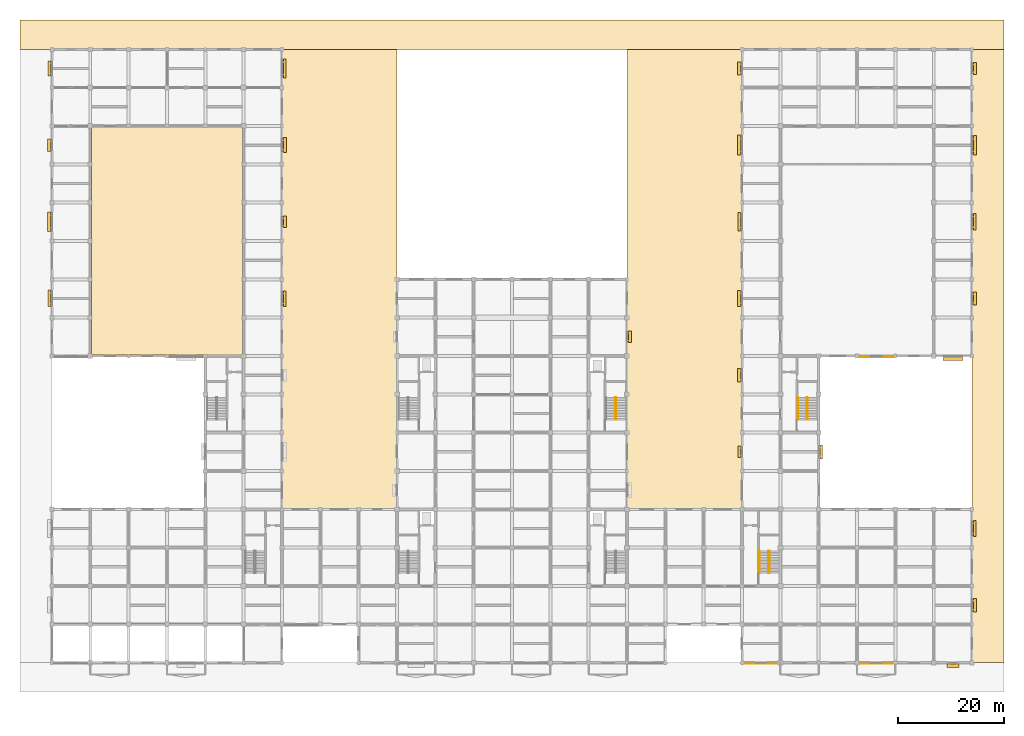
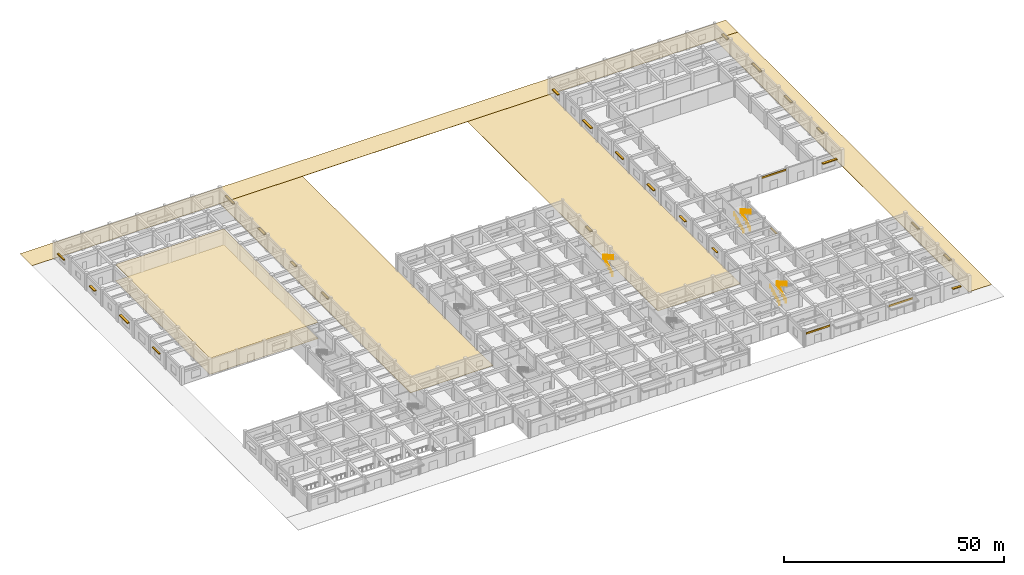
# One storey, part 36 of 37: 24 shading devices, 9 coverings, 5 railings.
"""IFC4 building model written with IfcOpenShell, lengths in metres."""

from ifc_helpers import new_model, si_unit, direction, frame, origin, origin_2d, place, context, subcontext, project, spatial, polyline, rectangle, circle, outline, extrude, material, layer, layer_set, type_object, element, save


model = new_model("IFC4")

# Units and contexts
model_context = context("Model", 3, precision=1e-05, world=origin(), true_north=direction((0.0, 1.0)))
body_context = subcontext(model_context, "Body", "Model", "MODEL_VIEW")
ifc_project = project(units=[si_unit("LENGTHUNIT", "METRE"), si_unit("AREAUNIT", "SQUARE_METRE"), si_unit("VOLUMEUNIT", "CUBIC_METRE"), si_unit("PLANEANGLEUNIT", "RADIAN"), si_unit("MASSUNIT", "GRAM", prefix="KILO")], contexts=[model_context])

# Site, building, storey
site_placement = place(None, origin())
site = spatial("IfcSite", under=ifc_project, at=site_placement, CompositionType="ELEMENT")
building_placement = place(site_placement, origin())
building = spatial("IfcBuilding", under=site, at=building_placement, Name="Cendaluz Park School", CompositionType="ELEMENT")
storey_placement = place(building_placement, origin())
storey = spatial("IfcBuildingStorey", under=building, at=storey_placement, Name="L00", CompositionType="ELEMENT", Elevation=0.0)

# Coverings
ifc_material_1 = material(Name="Polychrome Majolica Tile")
ifc_layer_1 = layer(ifc_material_1, 0.0400390625)
ifc_layer_set_1 = layer_set([ifc_layer_1], Name="Polychrome Majolica Tile")
covering_type_1 = type_object("IfcCoveringType", Name="CV-CL01", PredefinedType="CLADDING", material=ifc_layer_set_1)
covering_1_placement = place(storey_placement, frame((0.0, 0.0, 3.340087890625)))
element("IfcCovering", 1, at=covering_1_placement, inside=storey, type_object=covering_type_1, Name="CV-CL-L00-18-00", PredefinedType="CLADDING", context=body_context, shape_type="SweptSolid", body=[
    extrude(outline(polyline([(130.074951171875, -0.219970703125), (136.25, -0.219970703125), (136.25, -0.177978515625), (130.074951171875, -0.177978515625), (130.074951171875, -0.219970703125)])), origin(), (0.0, 0.0, 1.0), 0.5),
])
covering_2_placement = place(storey_placement, frame((0.0, 0.0, 3.340087890625)))
element("IfcCovering", 2, at=covering_2_placement, inside=storey, type_object=covering_type_1, Name="CV-CL-L00-21-00", PredefinedType="CLADDING", context=body_context, shape_type="SweptSolid", body=[
    extrude(outline(polyline([(151.699951171875, -0.219970703125), (157.925048828125, -0.219970703125), (157.925048828125, -0.177978515625), (151.699951171875, -0.177978515625), (151.699951171875, -0.219970703125)])), origin(), (0.0, 0.0, 1.0), 0.5),
])
covering_3_placement = place(storey_placement, frame((0.0, 0.0, 3.919921875)))
element("IfcCovering", 3, at=covering_3_placement, inside=storey, type_object=covering_type_1, Name="CV-CL-L00-21-08", PredefinedType="CLADDING", context=body_context, shape_type="SweptSolid", body=[
    extrude(outline(polyline([(151.699951171875, 57.3798828125), (158.050048828125, 57.3798828125), (158.050048828125, 57.422119140625), (151.699951171875, 57.422119140625), (151.699951171875, 57.3798828125)])), origin(), (0.0, 0.0, 1.0), 0.5),
])
ifc_material_2 = material(Name="Mineral Fibre Acoustic Tile")
ifc_layer_2 = layer(ifc_material_2, 0.030029296875)
ifc_layer_set_2 = layer_set([ifc_layer_2], Name="Mineral Fibre Acoustic Tile")
covering_type_2 = type_object("IfcCoveringType", Name="CV-CLG01", PredefinedType="CEILING", material=ifc_layer_set_2)
covering_4_placement = place(storey_placement, frame((0.0, 0.0, 4.489990234375)))
element("IfcCovering", 4, at=covering_4_placement, inside=storey, type_object=covering_type_2, Name="CV-CLG-L00-01", PredefinedType="CEILING", context=body_context, shape_type="SweptSolid", body=[
    extrude(outline(polyline([(7.39990234375, 57.800048828125), (35.800048828125, 57.800048828125), (35.800048828125, 100.60009765625), (7.39990234375, 100.60009765625), (7.39990234375, 57.800048828125)])), origin(), (0.0, 0.0, 1.0), 0.030029296875),
])
ifc_material_3 = material(Name="Polished Terrazzo Tile")
ifc_layer_3 = layer(ifc_material_3, 0.02001953125)
ifc_layer_set_3 = layer_set([ifc_layer_3], Name="Polished Terrazzo Tile")
covering_type_3 = type_object("IfcCoveringType", Name="CV-FLR01", PredefinedType="FLOORING", material=ifc_layer_set_3)
covering_5_placement = place(storey_placement, origin())
element("IfcCovering", 5, at=covering_5_placement, inside=storey, type_object=covering_type_3, Name="CV-FLR-L00-01", PredefinedType="FLOORING", context=body_context, shape_type="SweptSolid", body=[
    extrude(outline(polyline([(7.39990234375, 57.800048828125), (35.800048828125, 57.800048828125), (35.800048828125, 100.60009765625), (7.39990234375, 100.60009765625), (7.39990234375, 57.800048828125)])), origin(), (0.0, 0.0, 1.0), 0.02001953125),
])
ifc_material_4 = material(Name="Granite Ashlar Stone", Category="masonry")
ifc_layer_4 = layer(ifc_material_4, 0.080078125)
ifc_layer_set_4 = layer_set([ifc_layer_4], Name="Granite Ashlar Stone")
covering_type_4 = type_object("IfcCoveringType", Name="CV-PV01", PredefinedType="FLOORING", material=ifc_layer_set_4)
covering_6_placement = place(storey_placement, frame((0.0, 0.0, -0.080078125)))
element("IfcCovering", 6, at=covering_6_placement, inside=storey, type_object=covering_type_4, Name="CV-APRON-E", PredefinedType="FLOORING", context=body_context, shape_type="SweptSolid", body=[
    extrude(outline(polyline([(172.800048828125, 0.0), (178.800048828125, 0.0), (178.800048828125, 115.199951171875), (172.800048828125, 115.199951171875), (172.800048828125, 0.0)])), origin(), (0.0, 0.0, 1.0), 0.080078125),
])
covering_7_placement = place(storey_placement, frame((0.0, 0.0, -0.080078125)))
element("IfcCovering", 7, at=covering_7_placement, inside=storey, type_object=covering_type_4, Name="CV-APRON-N", PredefinedType="FLOORING", context=body_context, shape_type="SweptSolid", body=[
    extrude(outline(polyline([(-6.0, 115.199951171875), (178.800048828125, 115.199951171875), (178.800048828125, 120.699951171875), (-6.0, 120.699951171875), (-6.0, 115.199951171875)])), origin(), (0.0, 0.0, 1.0), 0.080078125),
])
covering_8_placement = place(storey_placement, frame((0.0, 0.0, -0.080078125)))
element("IfcCovering", 8, at=covering_8_placement, inside=storey, type_object=covering_type_4, Name="CV-COURT-W", PredefinedType="FLOORING", context=body_context, shape_type="SweptSolid", body=[
    extrude(outline(polyline([(43.199951171875, 28.800048828125), (64.800048828125, 28.800048828125), (64.800048828125, 115.199951171875), (43.199951171875, 115.199951171875), (43.199951171875, 28.800048828125)])), origin(), (0.0, 0.0, 1.0), 0.080078125),
])
covering_9_placement = place(storey_placement, frame((0.0, 0.0, -0.080078125)))
element("IfcCovering", 9, at=covering_9_placement, inside=storey, type_object=covering_type_4, Name="CV-COURT-E", PredefinedType="FLOORING", context=body_context, shape_type="SweptSolid", body=[
    extrude(outline(polyline([(108.0, 28.800048828125), (129.60009765625, 28.800048828125), (129.60009765625, 115.199951171875), (108.0, 115.199951171875), (108.0, 28.800048828125)])), origin(), (0.0, 0.0, 1.0), 0.080078125),
])

# Railings
ifc_material_5 = material(Name="Wrought Iron")
railing_type_1 = type_object("IfcRailingType", Name="GR-ST01", PredefinedType="BALUSTRADE", material=ifc_material_5)
railing_1_placement = place(storey_placement, frame((105.7900390625, 45.60009765625, 0.159912109375)))
element("IfcRailing", 10, at=railing_1_placement, inside=storey, type_object=railing_type_1, Name="GR-ST-108", PredefinedType="BALUSTRADE", context=body_context, shape_type="SweptSolid", body=[
    extrude(circle(Radius=0.02392578125, at=origin_2d()), frame((0.0, 0.0, 1.076171875), z_axis=(0.0, 0.882351521365, 0.470590897432), x_axis=(-1.0, 0.0, 0.0)), (0.0, 0.0, 1.0), 4.760009765625),
    extrude(circle(Radius=0.02392578125, at=origin_2d()), frame((0.0, 4.199951171875, 3.31591796875), z_axis=(1.0, 0.0, 0.0), x_axis=(0.0, 1.0, 0.0)), (0.0, 0.0, 1.0), 0.169921875),
    extrude(circle(Radius=0.02392578125, at=origin_2d()), frame((0.169921875, 4.199951171875, 3.31591796875), z_axis=(0.0, -0.868227612608, 0.496166114024), x_axis=(1.0, 0.0, 0.0)), (0.0, 0.0, 1.0), 4.83740234375),
    extrude(circle(Radius=0.02099609375, at=origin_2d()), origin(), (0.0, 0.0, 1.0), 1.052001953125),
    extrude(circle(Radius=0.02099609375, at=origin_2d()), frame((0.0, 0.840087890625, 0.447998046875)), (0.0, 0.0, 1.0), 1.052001953125),
    extrude(circle(Radius=0.02099609375, at=origin_2d()), frame((0.0, 1.679931640625, 0.89599609375)), (0.0, 0.0, 1.0), 1.052001953125),
    extrude(circle(Radius=0.02099609375, at=origin_2d()), frame((0.0, 2.52001953125, 1.343994140625)), (0.0, 0.0, 1.0), 1.052001953125),
    extrude(circle(Radius=0.02099609375, at=origin_2d()), frame((0.0, 3.35986328125, 1.7919921875)), (0.0, 0.0, 1.0), 1.052001953125),
    extrude(circle(Radius=0.02099609375, at=origin_2d()), frame((0.0, 4.199951171875, 2.239990234375)), (0.0, 0.0, 1.0), 1.052001953125),
    extrude(circle(Radius=0.02099609375, at=origin_2d()), frame((0.169921875, 4.199951171875, 2.239990234375)), (0.0, 0.0, 1.0), 1.052001953125),
    extrude(circle(Radius=0.02099609375, at=origin_2d()), frame((0.169921875, 3.35986328125, 2.719970703125)), (0.0, 0.0, 1.0), 1.052001953125),
    extrude(circle(Radius=0.02099609375, at=origin_2d()), frame((0.169921875, 2.52001953125, 3.199951171875)), (0.0, 0.0, 1.0), 1.052001953125),
    extrude(circle(Radius=0.02099609375, at=origin_2d()), frame((0.169921875, 1.679931640625, 3.68017578125)), (0.0, 0.0, 1.0), 1.052001953125),
    extrude(circle(Radius=0.02099609375, at=origin_2d()), frame((0.169921875, 0.840087890625, 4.16015625)), (0.0, 0.0, 1.0), 1.052001953125),
    extrude(circle(Radius=0.02099609375, at=origin_2d()), frame((0.169921875, 0.0, 4.64013671875)), (0.0, 0.0, 1.0), 1.052001953125),
])
railing_2_placement = place(storey_placement, frame((134.590087890625, 16.800048828125, 0.159912109375)))
element("IfcRailing", 11, at=railing_2_placement, inside=storey, type_object=railing_type_1, Name="GR-ST-160", PredefinedType="BALUSTRADE", context=body_context, shape_type="SweptSolid", body=[
    extrude(circle(Radius=0.02392578125, at=origin_2d()), frame((0.0, 0.0, 1.076171875), z_axis=(0.0, 0.882351521365, 0.470590897432), x_axis=(-1.0, 0.0, 0.0)), (0.0, 0.0, 1.0), 4.760009765625),
    extrude(circle(Radius=0.02392578125, at=origin_2d()), frame((0.0, 4.199951171875, 3.31591796875), z_axis=(1.0, 0.0, 0.0), x_axis=(0.0, 1.0, 0.0)), (0.0, 0.0, 1.0), 0.169921875),
    extrude(circle(Radius=0.02392578125, at=origin_2d()), frame((0.169921875, 4.199951171875, 3.31591796875), z_axis=(0.0, -0.868227612608, 0.496166114024), x_axis=(1.0, 0.0, 0.0)), (0.0, 0.0, 1.0), 4.83740234375),
    extrude(circle(Radius=0.02099609375, at=origin_2d()), origin(), (0.0, 0.0, 1.0), 1.052001953125),
    extrude(circle(Radius=0.02099609375, at=origin_2d()), frame((0.0, 0.840087890625, 0.447998046875)), (0.0, 0.0, 1.0), 1.052001953125),
    extrude(circle(Radius=0.02099609375, at=origin_2d()), frame((0.0, 1.679931640625, 0.89599609375)), (0.0, 0.0, 1.0), 1.052001953125),
    extrude(circle(Radius=0.02099609375, at=origin_2d()), frame((0.0, 2.52001953125, 1.343994140625)), (0.0, 0.0, 1.0), 1.052001953125),
    extrude(circle(Radius=0.02099609375, at=origin_2d()), frame((0.0, 3.35986328125, 1.7919921875)), (0.0, 0.0, 1.0), 1.052001953125),
    extrude(circle(Radius=0.02099609375, at=origin_2d()), frame((0.0, 4.199951171875, 2.239990234375)), (0.0, 0.0, 1.0), 1.052001953125),
    extrude(circle(Radius=0.02099609375, at=origin_2d()), frame((0.169921875, 4.199951171875, 2.239990234375)), (0.0, 0.0, 1.0), 1.052001953125),
    extrude(circle(Radius=0.02099609375, at=origin_2d()), frame((0.169921875, 3.35986328125, 2.719970703125)), (0.0, 0.0, 1.0), 1.052001953125),
    extrude(circle(Radius=0.02099609375, at=origin_2d()), frame((0.169921875, 2.52001953125, 3.199951171875)), (0.0, 0.0, 1.0), 1.052001953125),
    extrude(circle(Radius=0.02099609375, at=origin_2d()), frame((0.169921875, 1.679931640625, 3.68017578125)), (0.0, 0.0, 1.0), 1.052001953125),
    extrude(circle(Radius=0.02099609375, at=origin_2d()), frame((0.169921875, 0.840087890625, 4.16015625)), (0.0, 0.0, 1.0), 1.052001953125),
    extrude(circle(Radius=0.02099609375, at=origin_2d()), frame((0.169921875, 0.0, 4.64013671875)), (0.0, 0.0, 1.0), 1.052001953125),
])
railing_3_placement = place(storey_placement, frame((141.7900390625, 45.60009765625, 0.159912109375)))
element("IfcRailing", 12, at=railing_3_placement, inside=storey, type_object=railing_type_1, Name="GR-ST-182", PredefinedType="BALUSTRADE", context=body_context, shape_type="SweptSolid", body=[
    extrude(circle(Radius=0.02392578125, at=origin_2d()), frame((0.0, 0.0, 1.076171875), z_axis=(0.0, 0.882351521365, 0.470590897432), x_axis=(-1.0, 0.0, 0.0)), (0.0, 0.0, 1.0), 4.760009765625),
    extrude(circle(Radius=0.02392578125, at=origin_2d()), frame((0.0, 4.199951171875, 3.31591796875), z_axis=(1.0, 0.0, 0.0), x_axis=(0.0, 1.0, 0.0)), (0.0, 0.0, 1.0), 0.169921875),
    extrude(circle(Radius=0.02392578125, at=origin_2d()), frame((0.169921875, 4.199951171875, 3.31591796875), z_axis=(0.0, -0.868227612608, 0.496166114024), x_axis=(1.0, 0.0, 0.0)), (0.0, 0.0, 1.0), 4.83740234375),
    extrude(circle(Radius=0.02099609375, at=origin_2d()), origin(), (0.0, 0.0, 1.0), 1.052001953125),
    extrude(circle(Radius=0.02099609375, at=origin_2d()), frame((0.0, 0.840087890625, 0.447998046875)), (0.0, 0.0, 1.0), 1.052001953125),
    extrude(circle(Radius=0.02099609375, at=origin_2d()), frame((0.0, 1.679931640625, 0.89599609375)), (0.0, 0.0, 1.0), 1.052001953125),
    extrude(circle(Radius=0.02099609375, at=origin_2d()), frame((0.0, 2.52001953125, 1.343994140625)), (0.0, 0.0, 1.0), 1.052001953125),
    extrude(circle(Radius=0.02099609375, at=origin_2d()), frame((0.0, 3.35986328125, 1.7919921875)), (0.0, 0.0, 1.0), 1.052001953125),
    extrude(circle(Radius=0.02099609375, at=origin_2d()), frame((0.0, 4.199951171875, 2.239990234375)), (0.0, 0.0, 1.0), 1.052001953125),
    extrude(circle(Radius=0.02099609375, at=origin_2d()), frame((0.169921875, 4.199951171875, 2.239990234375)), (0.0, 0.0, 1.0), 1.052001953125),
    extrude(circle(Radius=0.02099609375, at=origin_2d()), frame((0.169921875, 3.35986328125, 2.719970703125)), (0.0, 0.0, 1.0), 1.052001953125),
    extrude(circle(Radius=0.02099609375, at=origin_2d()), frame((0.169921875, 2.52001953125, 3.199951171875)), (0.0, 0.0, 1.0), 1.052001953125),
    extrude(circle(Radius=0.02099609375, at=origin_2d()), frame((0.169921875, 1.679931640625, 3.68017578125)), (0.0, 0.0, 1.0), 1.052001953125),
    extrude(circle(Radius=0.02099609375, at=origin_2d()), frame((0.169921875, 0.840087890625, 4.16015625)), (0.0, 0.0, 1.0), 1.052001953125),
    extrude(circle(Radius=0.02099609375, at=origin_2d()), frame((0.169921875, 0.0, 4.64013671875)), (0.0, 0.0, 1.0), 1.052001953125),
])
ifc_material_6 = material(Name="Architectural Bronze")
railing_type_2 = type_object("IfcRailingType", Name="HR-ST01", PredefinedType="HANDRAIL", material=ifc_material_6)
for number, where, name in (
    (13, (132.89990234375, 16.800048828125, 0.159912109375), "HR-ST-161"),
    (14, (140.10009765625, 45.60009765625, 0.159912109375), "HR-ST-183"),
):
    element("IfcRailing", number, at=place(storey_placement, frame(where)), inside=storey, type_object=railing_type_2, Name=name, PredefinedType="HANDRAIL", context=body_context, shape_type="SweptSolid", body=[
        extrude(circle(Radius=0.02392578125, at=origin_2d()), frame((0.0, 0.0, 0.8759765625), z_axis=(0.0, 0.882351521365, 0.470590897432), x_axis=(-1.0, 0.0, 0.0)), (0.0, 0.0, 1.0), 4.760009765625),
        extrude(circle(Radius=0.02099609375, at=origin_2d()), origin(), (0.0, 0.0, 1.0), 0.851806640625),
        extrude(circle(Radius=0.02099609375, at=origin_2d()), frame((0.0, 0.840087890625, 0.447998046875)), (0.0, 0.0, 1.0), 0.851806640625),
        extrude(circle(Radius=0.02099609375, at=origin_2d()), frame((0.0, 1.679931640625, 0.89599609375)), (0.0, 0.0, 1.0), 0.851806640625),
        extrude(circle(Radius=0.02099609375, at=origin_2d()), frame((0.0, 2.52001953125, 1.343994140625)), (0.0, 0.0, 1.0), 0.851806640625),
        extrude(circle(Radius=0.02099609375, at=origin_2d()), frame((0.0, 3.35986328125, 1.7919921875)), (0.0, 0.0, 1.0), 0.851806640625),
        extrude(circle(Radius=0.02099609375, at=origin_2d()), frame((0.0, 4.199951171875, 2.239990234375)), (0.0, 0.0, 1.0), 0.851806640625),
    ])

# Shading devices
ifc_material_7 = material(Name="Anodised Aluminium 6063-T6", Category="aluminium")
shading_device_type_1 = type_object("IfcShadingDeviceType", Name="SD-01", PredefinedType="JALOUSIE", material=ifc_material_7)
shading_device_1_placement = place(storey_placement, frame((-0.56005859375, 82.800048828125, 2.8701171875), z_axis=(0.0, 0.0, 1.0), x_axis=(0.0, 1.0, 0.0)))
element("IfcShadingDevice", 15, at=shading_device_1_placement, inside=storey, type_object=shading_device_type_1, Name="SD-L00-004", PredefinedType="JALOUSIE", context=body_context, shape_type="SweptSolid", body=[
    extrude(rectangle(XDim=3.699951171875, YDim=0.60009765625, at=origin_2d()), origin(), (0.0, 0.0, 1.0), 0.239990234375),
])
shading_device_2_placement = place(storey_placement, frame((-0.56005859375, 97.199951171875, 2.6201171875), z_axis=(0.0, 0.0, 1.0), x_axis=(0.0, 1.0, 0.0)))
element("IfcShadingDevice", 16, at=shading_device_2_placement, inside=storey, type_object=shading_device_type_1, Name="SD-L00-005", PredefinedType="JALOUSIE", context=body_context, shape_type="SweptSolid", body=[
    extrude(rectangle(XDim=2.300048828125, YDim=0.60009765625, at=origin_2d()), origin(), (0.0, 0.0, 1.0), 0.239990234375),
])
shading_device_3_placement = place(storey_placement, frame((43.760009765625, 82.800048828125, 2.56982421875), z_axis=(0.0, 0.0, 1.0), x_axis=(0.0, 1.0, 0.0)))
element("IfcShadingDevice", 17, at=shading_device_3_placement, inside=storey, type_object=shading_device_type_1, Name="SD-L00-013", PredefinedType="JALOUSIE", context=body_context, shape_type="SweptSolid", body=[
    extrude(rectangle(XDim=2.14990234375, YDim=0.60009765625, at=origin_2d()), origin(), (0.0, 0.0, 1.0), 0.239990234375),
])
shading_device_4_placement = place(storey_placement, frame((43.760009765625, 97.21240234375, 2.919921875), z_axis=(0.0, 0.0, 1.0), x_axis=(0.0, 1.0, 0.0)))
element("IfcShadingDevice", 18, at=shading_device_4_placement, inside=storey, type_object=shading_device_type_1, Name="SD-L00-014", PredefinedType="JALOUSIE", context=body_context, shape_type="SweptSolid", body=[
    extrude(rectangle(XDim=2.800048828125, YDim=0.60009765625, at=origin_2d()), origin(), (0.0, 0.0, 1.0), 0.239990234375),
])
shading_device_5_placement = place(storey_placement, frame((108.56005859375, 61.199951171875, 2.72021484375), z_axis=(0.0, 0.0, 1.0), x_axis=(0.0, 1.0, 0.0)))
element("IfcShadingDevice", 19, at=shading_device_5_placement, inside=storey, type_object=shading_device_type_1, Name="SD-L00-020", PredefinedType="JALOUSIE", context=body_context, shape_type="SweptSolid", body=[
    extrude(rectangle(XDim=2.199951171875, YDim=0.60009765625, at=origin_2d()), origin(), (0.0, 0.0, 1.0), 0.239990234375),
])
shading_device_6_placement = place(storey_placement, frame((129.0400390625, 53.987548828125, 2.72021484375), z_axis=(0.0, 0.0, 1.0), x_axis=(0.0, 1.0, 0.0)))
element("IfcShadingDevice", 20, at=shading_device_6_placement, inside=storey, type_object=shading_device_type_1, Name="SD-L00-022", PredefinedType="JALOUSIE", context=body_context, shape_type="SweptSolid", body=[
    extrude(rectangle(XDim=2.60009765625, YDim=0.60009765625, at=origin_2d()), origin(), (0.0, 0.0, 1.0), 0.239990234375),
])
shading_device_7_placement = place(storey_placement, frame((129.0400390625, 68.39990234375, 2.72021484375), z_axis=(0.0, 0.0, 1.0), x_axis=(0.0, 1.0, 0.0)))
element("IfcShadingDevice", 21, at=shading_device_7_placement, inside=storey, type_object=shading_device_type_1, Name="SD-L00-023", PredefinedType="JALOUSIE", context=body_context, shape_type="SweptSolid", body=[
    extrude(rectangle(XDim=3.0, YDim=0.60009765625, at=origin_2d()), origin(), (0.0, 0.0, 1.0), 0.239990234375),
])
shading_device_8_placement = place(storey_placement, frame((129.0400390625, 97.199951171875, 2.72021484375), z_axis=(0.0, 0.0, 1.0), x_axis=(0.0, 1.0, 0.0)))
element("IfcShadingDevice", 22, at=shading_device_8_placement, inside=storey, type_object=shading_device_type_1, Name="SD-L00-025", PredefinedType="JALOUSIE", context=body_context, shape_type="SweptSolid", body=[
    extrude(rectangle(XDim=3.800048828125, YDim=0.60009765625, at=origin_2d()), origin(), (0.0, 0.0, 1.0), 0.239990234375),
])
shading_device_9_placement = place(storey_placement, frame((129.0400390625, 111.60009765625, 2.8701171875), z_axis=(0.0, 0.0, 1.0), x_axis=(0.0, 1.0, 0.0)))
element("IfcShadingDevice", 23, at=shading_device_9_placement, inside=storey, type_object=shading_device_type_1, Name="SD-L00-026", PredefinedType="JALOUSIE", context=body_context, shape_type="SweptSolid", body=[
    extrude(rectangle(XDim=2.5, YDim=0.60009765625, at=origin_2d()), origin(), (0.0, 0.0, 1.0), 0.239990234375),
])
shading_device_10_placement = place(storey_placement, frame((169.22509765625, -0.56005859375, 2.72021484375), z_axis=(0.0, 0.0, 1.0), x_axis=(1.0, 0.0, 0.0)))
element("IfcShadingDevice", 24, at=shading_device_10_placement, inside=storey, type_object=shading_device_type_1, Name="SD-L00-028", PredefinedType="JALOUSIE", context=body_context, shape_type="SweptSolid", body=[
    extrude(rectangle(XDim=2.199951171875, YDim=0.60009765625, at=origin_2d()), origin(), (0.0, 0.0, 1.0), 0.239990234375),
])
shading_device_11_placement = place(storey_placement, frame((173.360107421875, 10.78759765625, 2.72021484375), z_axis=(0.0, 0.0, 1.0), x_axis=(0.0, 1.0, 0.0)))
element("IfcShadingDevice", 25, at=shading_device_11_placement, inside=storey, type_object=shading_device_type_1, Name="SD-L00-029", PredefinedType="JALOUSIE", context=body_context, shape_type="SweptSolid", body=[
    extrude(rectangle(XDim=2.60009765625, YDim=0.60009765625, at=origin_2d()), origin(), (0.0, 0.0, 1.0), 0.239990234375),
])
shading_device_12_placement = place(storey_placement, frame((169.22509765625, 57.0400390625, 2.72021484375), z_axis=(0.0, 0.0, 1.0), x_axis=(1.0, 0.0, 0.0)))
element("IfcShadingDevice", 26, at=shading_device_12_placement, inside=storey, type_object=shading_device_type_1, Name="SD-L00-031", PredefinedType="JALOUSIE", context=body_context, shape_type="SweptSolid", body=[
    extrude(rectangle(XDim=3.800048828125, YDim=0.60009765625, at=origin_2d()), origin(), (0.0, 0.0, 1.0), 0.239990234375),
])
shading_device_13_placement = place(storey_placement, frame((173.360107421875, 68.39990234375, 2.8701171875), z_axis=(0.0, 0.0, 1.0), x_axis=(0.0, 1.0, 0.0)))
element("IfcShadingDevice", 27, at=shading_device_13_placement, inside=storey, type_object=shading_device_type_1, Name="SD-L00-032", PredefinedType="JALOUSIE", context=body_context, shape_type="SweptSolid", body=[
    extrude(rectangle(XDim=2.5, YDim=0.60009765625, at=origin_2d()), origin(), (0.0, 0.0, 1.0), 0.239990234375),
])
shading_device_14_placement = place(storey_placement, frame((173.360107421875, 97.199951171875, 2.8701171875), z_axis=(0.0, 0.0, 1.0), x_axis=(0.0, 1.0, 0.0)))
element("IfcShadingDevice", 28, at=shading_device_14_placement, inside=storey, type_object=shading_device_type_1, Name="SD-L00-034", PredefinedType="JALOUSIE", context=body_context, shape_type="SweptSolid", body=[
    extrude(rectangle(XDim=3.699951171875, YDim=0.60009765625, at=origin_2d()), origin(), (0.0, 0.0, 1.0), 0.239990234375),
])
shading_device_15_placement = place(storey_placement, frame((173.360107421875, 111.612548828125, 2.6201171875), z_axis=(0.0, 0.0, 1.0), x_axis=(0.0, 1.0, 0.0)))
element("IfcShadingDevice", 29, at=shading_device_15_placement, inside=storey, type_object=shading_device_type_1, Name="SD-L00-035", PredefinedType="JALOUSIE", context=body_context, shape_type="SweptSolid", body=[
    extrude(rectangle(XDim=2.300048828125, YDim=0.60009765625, at=origin_2d()), origin(), (0.0, 0.0, 1.0), 0.239990234375),
])
shading_device_type_2 = type_object("IfcShadingDeviceType", Name="SD-02", PredefinedType="SHUTTER", material=ifc_material_6)
shading_device_16_placement = place(storey_placement, frame((-0.485107421875, 68.41259765625, 2.8701171875), z_axis=(0.0, 0.0, 1.0), x_axis=(0.0, 1.0, 0.0)))
element("IfcShadingDevice", 30, at=shading_device_16_placement, inside=storey, type_object=shading_device_type_2, Name="SD-L00-003", PredefinedType="SHUTTER", context=body_context, shape_type="SweptSolid", body=[
    extrude(rectangle(XDim=3.10009765625, YDim=0.449951171875, at=origin_2d()), origin(), (0.0, 0.0, 1.0), 0.239990234375),
])
for number, where, z_axis, x_axis, name in (
    (31, (-0.485107421875, 111.58740234375, 2.6201171875), (0.0, 0.0, 1.0), (0.0, 1.0, 0.0), "SD-L00-006"),
    (32, (43.68505859375, 68.387451171875, 2.6201171875), (0.0, 0.0, 1.0), (0.0, 1.0, 0.0), "SD-L00-012"),
):
    element("IfcShadingDevice", number, at=place(storey_placement, frame(where, z_axis=z_axis, x_axis=x_axis)), inside=storey, type_object=shading_device_type_2, Name=name, PredefinedType="SHUTTER", context=body_context, shape_type="SweptSolid", body=[
        extrude(rectangle(XDim=2.89990234375, YDim=0.449951171875, at=origin_2d()), origin(), (0.0, 0.0, 1.0), 0.239990234375),
    ])
shading_device_17_placement = place(storey_placement, frame((43.68505859375, 111.60009765625, 2.919921875), z_axis=(0.0, 0.0, 1.0), x_axis=(0.0, 1.0, 0.0)))
element("IfcShadingDevice", 33, at=shading_device_17_placement, inside=storey, type_object=shading_device_type_2, Name="SD-L00-015", PredefinedType="SHUTTER", context=body_context, shape_type="SweptSolid", body=[
    extrude(rectangle(XDim=3.60009765625, YDim=0.449951171875, at=origin_2d()), origin(), (0.0, 0.0, 1.0), 0.239990234375),
])
shading_device_18_placement = place(storey_placement, frame((129.114990234375, 39.60009765625, 2.72021484375), z_axis=(0.0, 0.0, 1.0), x_axis=(0.0, 1.0, 0.0)))
element("IfcShadingDevice", 34, at=shading_device_18_placement, inside=storey, type_object=shading_device_type_2, Name="SD-L00-021", PredefinedType="SHUTTER", context=body_context, shape_type="SweptSolid", body=[
    extrude(rectangle(XDim=2.199951171875, YDim=0.449951171875, at=origin_2d()), origin(), (0.0, 0.0, 1.0), 0.239990234375),
])
shading_device_19_placement = place(storey_placement, frame((129.114990234375, 82.8125, 2.72021484375), z_axis=(0.0, 0.0, 1.0), x_axis=(0.0, 1.0, 0.0)))
element("IfcShadingDevice", 35, at=shading_device_19_placement, inside=storey, type_object=shading_device_type_2, Name="SD-L00-024", PredefinedType="SHUTTER", context=body_context, shape_type="SweptSolid", body=[
    extrude(rectangle(XDim=3.39990234375, YDim=0.449951171875, at=origin_2d()), origin(), (0.0, 0.0, 1.0), 0.239990234375),
])
shading_device_20_placement = place(storey_placement, frame((144.485107421875, 39.58740234375, 2.72021484375), z_axis=(0.0, 0.0, 1.0), x_axis=(0.0, 1.0, 0.0)))
element("IfcShadingDevice", 36, at=shading_device_20_placement, inside=storey, type_object=shading_device_type_2, Name="SD-L00-027", PredefinedType="SHUTTER", context=body_context, shape_type="SweptSolid", body=[
    extrude(rectangle(XDim=2.60009765625, YDim=0.449951171875, at=origin_2d()), origin(), (0.0, 0.0, 1.0), 0.239990234375),
])
shading_device_21_placement = place(storey_placement, frame((173.284912109375, 25.199951171875, 2.72021484375), z_axis=(0.0, 0.0, 1.0), x_axis=(0.0, 1.0, 0.0)))
element("IfcShadingDevice", 37, at=shading_device_21_placement, inside=storey, type_object=shading_device_type_2, Name="SD-L00-030", PredefinedType="SHUTTER", context=body_context, shape_type="SweptSolid", body=[
    extrude(rectangle(XDim=3.0, YDim=0.449951171875, at=origin_2d()), origin(), (0.0, 0.0, 1.0), 0.239990234375),
])
shading_device_22_placement = place(storey_placement, frame((173.284912109375, 82.78759765625, 2.8701171875), z_axis=(0.0, 0.0, 1.0), x_axis=(0.0, 1.0, 0.0)))
element("IfcShadingDevice", 38, at=shading_device_22_placement, inside=storey, type_object=shading_device_type_2, Name="SD-L00-033", PredefinedType="SHUTTER", context=body_context, shape_type="SweptSolid", body=[
    extrude(rectangle(XDim=3.10009765625, YDim=0.449951171875, at=origin_2d()), origin(), (0.0, 0.0, 1.0), 0.239990234375),
])

save(model, "model.ifc")
